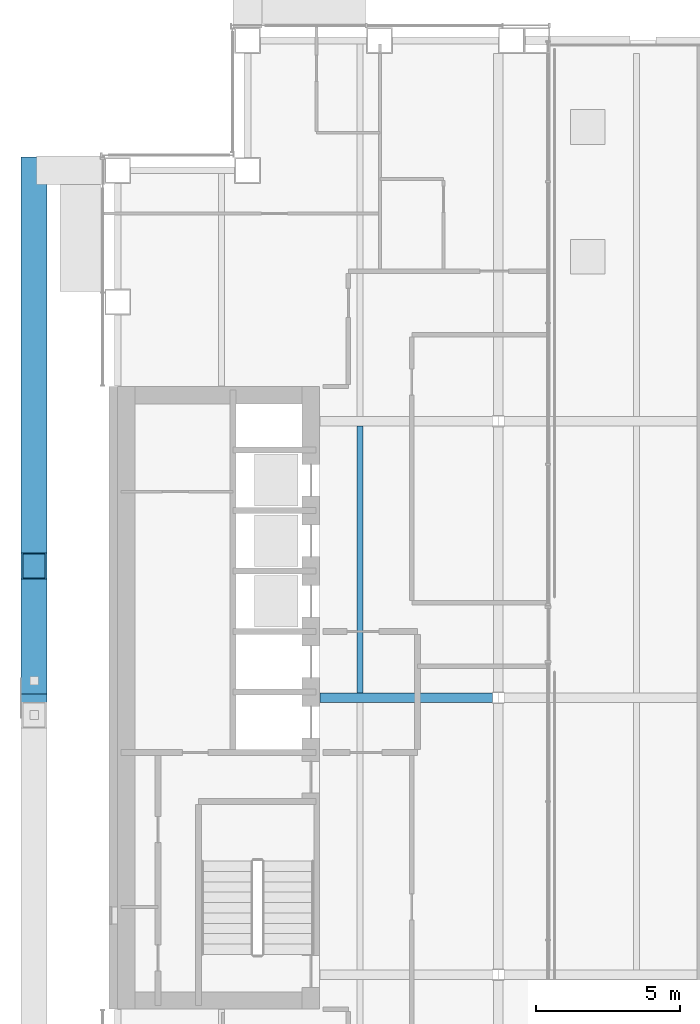
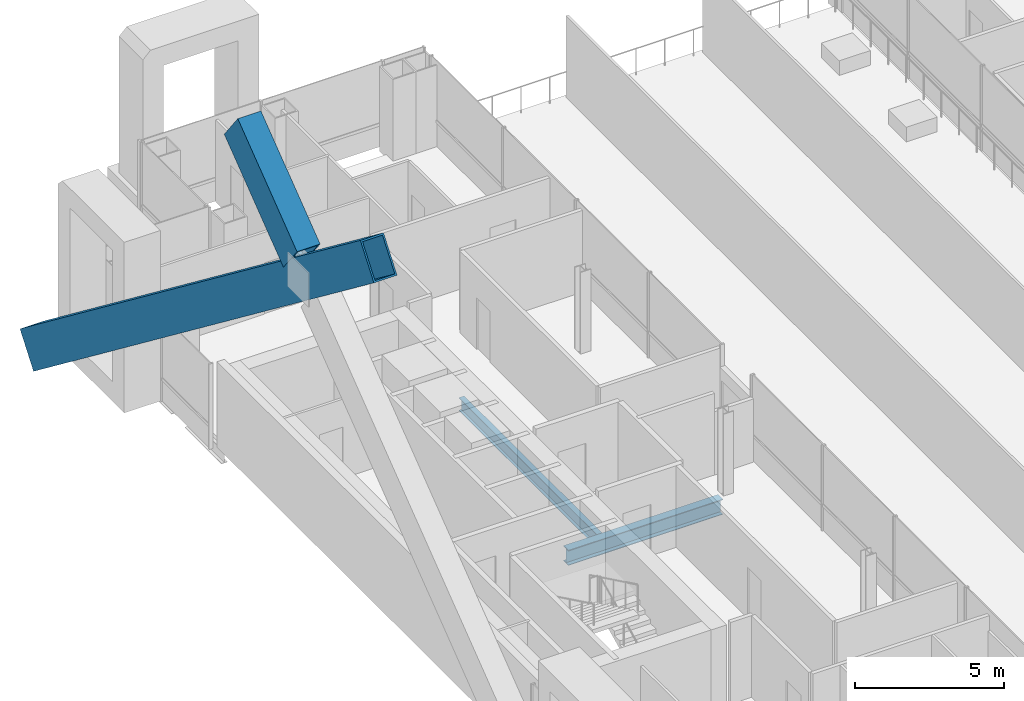
# One storey, part 4 of 20: 2 beams, 2 members.
"""IFC4 building model written with IfcOpenShell, lengths in metres."""

from ifc_helpers import new_model, si_unit, direction, frame, origin, origin_2d, place, context, subcontext, project, spatial, hollow_rectangle, i_section, extrude, material, material_profile, profile_set, type_object, element, save


model = new_model("IFC4")

# Units and contexts
model_context = context("Model", 3, precision=1e-05, world=origin(), true_north=direction((0.0, 1.0)))
body_context = subcontext(model_context, "Body", "Model", "MODEL_VIEW")
ifc_project = project(units=[si_unit("LENGTHUNIT", "METRE"), si_unit("AREAUNIT", "SQUARE_METRE"), si_unit("VOLUMEUNIT", "CUBIC_METRE"), si_unit("PLANEANGLEUNIT", "RADIAN"), si_unit("MASSUNIT", "GRAM", prefix="KILO")], contexts=[model_context])

# Site, building, storey
site_placement = place(None, origin())
site = spatial("IfcSite", under=ifc_project, at=site_placement, CompositionType="ELEMENT")
building_placement = place(site_placement, origin())
building = spatial("IfcBuilding", under=site, at=building_placement, Name="Cobrizo Arcos Hotel Tower", CompositionType="ELEMENT")
storey_placement = place(building_placement, frame((0.0, 0.0, 117.0)))
storey = spatial("IfcBuildingStorey", under=building, at=storey_placement, Name="L29", CompositionType="ELEMENT", Elevation=117.0)

# Members
ifc_material_1 = material(Name="Steel ASTM A572 Grade 50", Category="steel")
ifc_material_profile_1 = material_profile(ifc_material_1, hollow_rectangle(XDim=0.89990234375, YDim=1.5, WallThickness=0.06494140625, at=origin_2d()), Name="BOX 900X1500X65")
ifc_profile_set_1 = profile_set([ifc_material_profile_1], Name="Steel ASTM A572 Grade 50")
member_type = type_object("IfcMemberType", Name="BOX 900X1500X65 perimeter brace", PredefinedType="BRACE", material=ifc_profile_set_1)
member_1_placement = place(storey_placement, frame((-25.699951171875, 18.300048828125, 0.5), z_axis=(0.0, -0.794234626601, 0.607611189749), x_axis=(1.0, 0.0, 0.0)))
element("IfcMember", 1, at=member_1_placement, inside=storey, type_object=member_type, Name="Perimeter brace PBR2, zone Z2, west face, no. 04", PredefinedType="BRACE", context=body_context, shape_type="SweptSolid", body=[
    extrude(hollow_rectangle(XDim=0.89990234375, YDim=1.5, WallThickness=0.06494140625, at=origin_2d()), origin(), (0.0, 0.0, 1.0), 28.80126953125),
])
member_2_placement = place(storey_placement, frame((-25.699951171875, 0.59326171875, 14.953857421875), z_axis=(0.0, 0.794230645471, 0.607616393619), x_axis=(-1.0, 0.0, 0.0)))
element("IfcMember", 2, at=member_2_placement, inside=storey, type_object=member_type, Name="Perimeter brace PBR2, zone Z2, west face, no. 05b", PredefinedType="BRACE", context=body_context, shape_type="SweptSolid", body=[
    extrude(hollow_rectangle(XDim=0.89990234375, YDim=1.5, WallThickness=0.06494140625, at=origin_2d()), origin(), (0.0, 0.0, 1.0), 5.01318359375),
])

# Beams
ifc_material_2 = material(Name="Steel ASTM A992 Grade 50", Category="steel")
ifc_material_profile_2 = material_profile(ifc_material_2, i_section(OverallWidth=0.209228515625, OverallDepth=0.533447265625, WebThickness=0.01025390625, FlangeThickness=0.015625, at=origin_2d()), Name="W21X62")
ifc_profile_set_2 = profile_set([ifc_material_profile_2], Name="Steel ASTM A992 Grade 50")
beam_type_1 = type_object("IfcBeamType", Name="W21X62 joist", PredefinedType="JOIST", material=ifc_profile_set_2)
beam_1_placement = place(storey_placement, frame((-14.39990234375, 0.163818359375, -0.416748046875), z_axis=(0.0, 1.0, 0.0), x_axis=(-1.0, 0.0, 0.0)))
element("IfcBeam", 3, at=beam_1_placement, inside=storey, type_object=beam_type_1, Name="Floor joist J1, L29, no. 005", PredefinedType="JOIST", context=body_context, shape_type="SweptSolid", body=[
    extrude(i_section(OverallWidth=0.209228515625, OverallDepth=0.533447265625, WebThickness=0.01025390625, FlangeThickness=0.015625, at=origin_2d()), origin(), (0.0, 0.0, 1.0), 9.272216796875),
])
ifc_material_profile_3 = material_profile(ifc_material_2, i_section(OverallWidth=0.32763671875, OverallDepth=0.622314453125, WebThickness=0.015380859375, FlangeThickness=0.0244140625, at=origin_2d()), Name="W24X131")
ifc_profile_set_3 = profile_set([ifc_material_profile_3], Name="Steel ASTM A992 Grade 50")
beam_type_2 = type_object("IfcBeamType", Name="W24X131 girder", PredefinedType="BEAM", material=ifc_profile_set_3)
beam_2_placement = place(storey_placement, frame((-15.7900390625, 0.0, -0.461181640625), z_axis=(1.0, 0.0, 0.0), x_axis=(0.0, 1.0, 0.0)))
element("IfcBeam", 4, at=beam_2_placement, inside=storey, type_object=beam_type_2, Name="Floor girder G1, L29, no. 005", PredefinedType="BEAM", context=body_context, shape_type="SweptSolid", body=[
    extrude(i_section(OverallWidth=0.32763671875, OverallDepth=0.622314453125, WebThickness=0.015380859375, FlangeThickness=0.0244140625, at=origin_2d()), origin(), (0.0, 0.0, 1.0), 5.99072265625),
])

save(model, "model.ifc")
